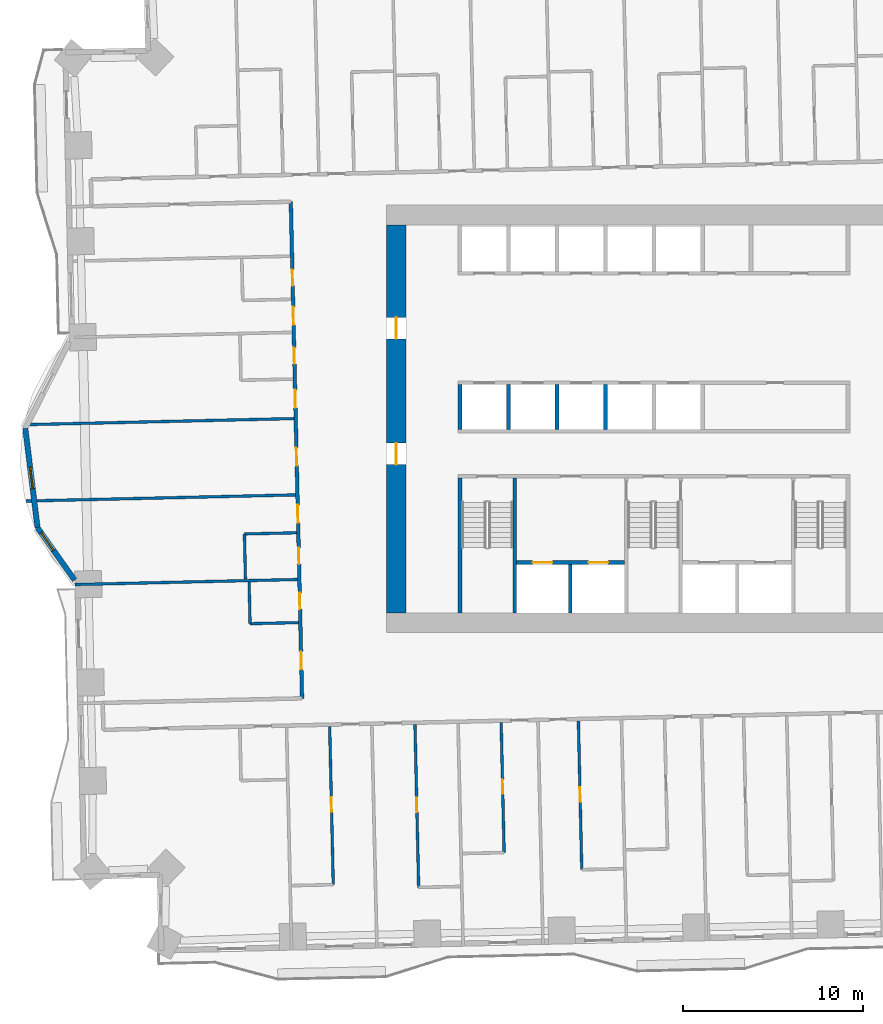
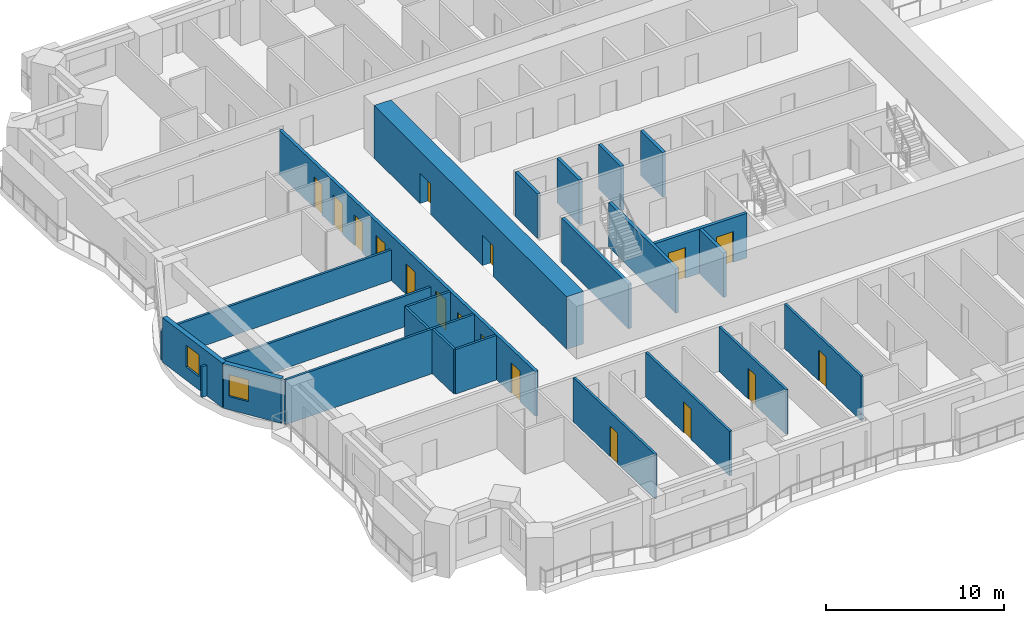
# One storey, part 5 of 16: 23 walls, 17 doors, 2 windows, 19 openings.
"""IFC4 building model written with IfcOpenShell, lengths in metres."""

from ifc_helpers import new_model, si_unit, direction, frame, frame_2d, origin, place, context, subcontext, project, spatial, rectangle, extrude, material, layer, layer_set, type_object, element, fill, save


model = new_model("IFC4")

# Units and contexts
model_context = context("Model", 3, precision=1e-05, world=origin(), true_north=direction((0.0, 1.0)))
body_context = subcontext(model_context, "Body", "Model", "MODEL_VIEW")
ifc_project = project(units=[si_unit("LENGTHUNIT", "METRE"), si_unit("AREAUNIT", "SQUARE_METRE"), si_unit("VOLUMEUNIT", "CUBIC_METRE"), si_unit("PLANEANGLEUNIT", "RADIAN"), si_unit("MASSUNIT", "GRAM", prefix="KILO")], contexts=[model_context])

# Site, building, storey
site_placement = place(None, origin())
site = spatial("IfcSite", under=ifc_project, at=site_placement, CompositionType="ELEMENT")
building_placement = place(site_placement, origin())
building = spatial("IfcBuilding", under=site, at=building_placement, Name="Mangrove Gate Tower", CompositionType="ELEMENT")
storey_placement = place(building_placement, frame((0.0, 0.0, 48.5)))
storey = spatial("IfcBuildingStorey", under=building, at=storey_placement, Name="L11", CompositionType="ELEMENT", Elevation=48.5)

# Wall, openings, doors
ifc_material_1 = material(Name="Concrete C70/85", Category="concrete")
ifc_layer_1 = layer(ifc_material_1, 0.199951171875)
ifc_layer_set_1 = layer_set([ifc_layer_1], Name="Core shaft wall 200 C70/85")
wall_type_1 = type_object("IfcWallType", Name="Core shaft wall 200 C70/85", PredefinedType="SHEAR", material=ifc_layer_set_1)
wall_1_placement = place(storey_placement, frame((-7.64990234375, -8.0, 0.0), z_axis=(0.0, 0.0, 1.0), x_axis=(1.0, 0.0, 0.0)))
wall_1 = element("IfcWall", 1, at=wall_1_placement, inside=storey, type_object=wall_type_1, Name="WALL-L11-CORE-15", PredefinedType="SHEAR", context=body_context, shape_type="SweptSolid", body=[
    extrude(rectangle(XDim=6.0, YDim=0.199951171875, at=frame_2d((3.0, 0.0))), origin(), (0.0, 0.0, 1.0), 3.050048828125),
])
opening_1_placement = place(wall_1_placement, frame((0.89990234375, 0.0, 0.0)))
opening_1 = element("IfcOpeningElement", 2, at=opening_1_placement, cuts=wall_1, Name="Opening LD", PredefinedType="OPENING", context=body_context, shape_type="SweptSolid", body=[
    extrude(rectangle(XDim=1.10009765625, YDim=2.10009765625, at=frame_2d((0.550048828125, 1.050048828125))), frame((0.0, 0.10986328125, 0.0), z_axis=(0.0, -1.0, 0.0), x_axis=(1.0, 0.0, 0.0)), (0.0, 0.0, 1.0), 0.219970703125),
])
opening_2_placement = place(wall_1_placement, frame((4.0, 0.0, 0.0)))
opening_2 = element("IfcOpeningElement", 3, at=opening_2_placement, cuts=wall_1, Name="Opening LD", PredefinedType="OPENING", context=body_context, shape_type="SweptSolid", body=[
    extrude(rectangle(XDim=1.10009765625, YDim=2.10009765625, at=frame_2d((0.550048828125, 1.050048828125))), frame((0.0, 0.10986328125, 0.0), z_axis=(0.0, -1.0, 0.0), x_axis=(1.0, 0.0, 0.0)), (0.0, 0.0, 1.0), 0.219970703125),
])
ifc_material_2 = material(Name="Stainless steel 316", Category="steel")
door_type_1 = type_object("IfcDoorType", Name="Lift landing door 1100x2100", OperationType="SLIDING_TO_LEFT", PredefinedType="DOOR", material=ifc_material_2)
door_1_placement = place(opening_1_placement, origin())
door_1 = element("IfcDoor", 4, at=door_1_placement, inside=storey, type_object=door_type_1, Name="Landing door LD SVL1", OperationType="SLIDING_TO_LEFT", OverallHeight=2.10009765625, OverallWidth=1.10009765625, PredefinedType="DOOR", context=body_context, shape_type="SweptSolid", body=[
    extrude(rectangle(XDim=1.10009765625, YDim=2.10009765625, at=frame_2d((0.550048828125, 1.050048828125))), frame((0.0, 0.02490234375, 0.0), z_axis=(0.0, -1.0, 0.0), x_axis=(1.0, 0.0, 0.0)), (0.0, 0.0, 1.0), 0.050048828125),
])
fill(opening_1, door_1)
door_2_placement = place(opening_2_placement, origin())
door_2 = element("IfcDoor", 5, at=door_2_placement, inside=storey, type_object=door_type_1, Name="Landing door LD SVL2", OperationType="SLIDING_TO_LEFT", OverallHeight=2.10009765625, OverallWidth=1.10009765625, PredefinedType="DOOR", context=body_context, shape_type="SweptSolid", body=[
    extrude(rectangle(XDim=1.10009765625, YDim=2.10009765625, at=frame_2d((0.550048828125, 1.050048828125))), frame((0.0, 0.02490234375, 0.0), z_axis=(0.0, -1.0, 0.0), x_axis=(1.0, 0.0, 0.0)), (0.0, 0.0, 1.0), 0.050048828125),
])
fill(opening_2, door_2)

# Walls
wall_2_placement = place(storey_placement, frame((-4.64990234375, -10.800048828125, 0.0), z_axis=(0.0, 0.0, 1.0), x_axis=(0.0, 1.0, 0.0)))
element("IfcWall", 6, at=wall_2_placement, inside=storey, type_object=wall_type_1, Name="WALL-L11-CORE-16", PredefinedType="SHEAR", context=body_context, shape_type="SweptSolid", body=[
    extrude(rectangle(XDim=2.699951171875, YDim=0.199951171875, at=frame_2d((1.35009765625, 0.0))), origin(), (0.0, 0.0, 1.0), 3.050048828125),
])
for number, where, z_axis, x_axis, name in (
    (7, (-10.800048828125, -0.60009765625, 0.0), (0.0, 0.0, 1.0), (0.0, 1.0, 0.0), "WALL-L11-CORE-19"),
    (8, (-8.10009765625, -0.60009765625, 0.0), (0.0, 0.0, 1.0), (0.0, 1.0, 0.0), "WALL-L11-CORE-20"),
    (9, (-5.39990234375, -0.60009765625, 0.0), (0.0, 0.0, 1.0), (0.0, 1.0, 0.0), "WALL-L11-CORE-21"),
    (10, (-2.699951171875, -0.60009765625, 0.0), (0.0, 0.0, 1.0), (0.0, 1.0, 0.0), "WALL-L11-CORE-22"),
):
    element("IfcWall", number, at=place(storey_placement, frame(where, z_axis=z_axis, x_axis=x_axis)), inside=storey, type_object=wall_type_1, Name=name, PredefinedType="SHEAR", context=body_context, shape_type="SweptSolid", body=[
        extrude(rectangle(XDim=2.5, YDim=0.199951171875, at=frame_2d((1.25, 0.0))), origin(), (0.0, 0.0, 1.0), 3.050048828125),
    ])
ifc_material_3 = material(Name="Concrete C70/85", Category="concrete")
ifc_layer_2 = layer(ifc_material_3, 0.199951171875)
ifc_layer_set_2 = layer_set([ifc_layer_2], Name="Core stair wall 200 C70/85")
wall_type_2 = type_object("IfcWallType", Name="Core stair wall 200 C70/85", PredefinedType="SHEAR", material=ifc_layer_set_2)
for number, where, z_axis, x_axis, name in (
    (11, (-10.800048828125, -10.800048828125, 0.0), (0.0, 0.0, 1.0), (0.0, 1.0, 0.0), "WALL-L11-CORE-9"),
    (12, (-7.75, -10.800048828125, 0.0), (0.0, 0.0, 1.0), (0.0, 1.0, 0.0), "WALL-L11-CORE-10"),
):
    element("IfcWall", number, at=place(storey_placement, frame(where, z_axis=z_axis, x_axis=x_axis)), inside=storey, type_object=wall_type_2, Name=name, PredefinedType="SHEAR", context=body_context, shape_type="SweptSolid", body=[
        extrude(rectangle(XDim=7.5, YDim=0.199951171875, at=frame_2d((3.75, 0.0))), origin(), (0.0, 0.0, 1.0), 3.050048828125),
    ])

# Wall, openings, doors
ifc_material_4 = material(Name="Concrete C70/85", Category="concrete")
ifc_layer_3 = layer(ifc_material_4, 1.10009765625)
ifc_layer_set_3 = layer_set([ifc_layer_3], Name="Core wall 1100 C70/85")
wall_type_3 = type_object("IfcWallType", Name="Core wall 1100 C70/85", PredefinedType="SHEAR", material=ifc_layer_set_3)
wall_3_placement = place(storey_placement, frame((-14.35009765625, -10.800048828125, 0.0), z_axis=(0.0, 0.0, 1.0), x_axis=(0.0, 1.0, 0.0)))
wall_3 = element("IfcWall", 13, at=wall_3_placement, inside=storey, type_object=wall_type_3, Name="WALL-L11-CORE-3", PredefinedType="SHEAR", context=body_context, shape_type="SweptSolid", body=[
    extrude(rectangle(XDim=21.60009765625, YDim=1.10009765625, at=frame_2d((10.800048828125, 0.0))), origin(), (0.0, 0.0, 1.0), 3.60009765625),
])
opening_3_placement = place(wall_3_placement, frame((8.25, 0.0, 0.0)))
opening_3 = element("IfcOpeningElement", 14, at=opening_3_placement, cuts=wall_3, Name="Opening CD", PredefinedType="OPENING", context=body_context, shape_type="SweptSolid", body=[
    extrude(rectangle(XDim=1.199951171875, YDim=2.10009765625, at=frame_2d((0.60009765625, 1.050048828125))), frame((0.0, 0.56005859375, 0.0), z_axis=(0.0, -1.0, 0.0), x_axis=(1.0, 0.0, 0.0)), (0.0, 0.0, 1.0), 1.1201171875),
])
opening_4_placement = place(wall_3_placement, frame((15.25, 0.0, 0.0)))
opening_4 = element("IfcOpeningElement", 15, at=opening_4_placement, cuts=wall_3, Name="Opening CD", PredefinedType="OPENING", context=body_context, shape_type="SweptSolid", body=[
    extrude(rectangle(XDim=1.199951171875, YDim=2.10009765625, at=frame_2d((0.60009765625, 1.050048828125))), frame((0.0, 0.56005859375, 0.0), z_axis=(0.0, -1.0, 0.0), x_axis=(1.0, 0.0, 0.0)), (0.0, 0.0, 1.0), 1.1201171875),
])
ifc_material_5 = material(Name="Fire-rated steel door set", Category="steel")
door_type_2 = type_object("IfcDoorType", Name="Core ring door FD60 1200x2100", OperationType="DOUBLE_DOOR_SINGLE_SWING", PredefinedType="DOOR", material=ifc_material_5)
door_3_placement = place(opening_3_placement, origin())
door_3 = element("IfcDoor", 16, at=door_3_placement, inside=storey, type_object=door_type_2, Name="Core ring door W1", OperationType="DOUBLE_DOOR_SINGLE_SWING", OverallHeight=2.10009765625, OverallWidth=1.199951171875, PredefinedType="DOOR", context=body_context, shape_type="SweptSolid", body=[
    extrude(rectangle(XDim=1.199951171875, YDim=2.10009765625, at=frame_2d((0.60009765625, 1.050048828125))), frame((0.0, 0.02490234375, 0.0), z_axis=(0.0, -1.0, 0.0), x_axis=(1.0, 0.0, 0.0)), (0.0, 0.0, 1.0), 0.050048828125),
])
fill(opening_3, door_3)
door_4_placement = place(opening_4_placement, origin())
door_4 = element("IfcDoor", 17, at=door_4_placement, inside=storey, type_object=door_type_2, Name="Core ring door W2", OperationType="DOUBLE_DOOR_SINGLE_SWING", OverallHeight=2.10009765625, OverallWidth=1.199951171875, PredefinedType="DOOR", context=body_context, shape_type="SweptSolid", body=[
    extrude(rectangle(XDim=1.199951171875, YDim=2.10009765625, at=frame_2d((0.60009765625, 1.050048828125))), frame((0.0, 0.02490234375, 0.0), z_axis=(0.0, -1.0, 0.0), x_axis=(1.0, 0.0, 0.0)), (0.0, 0.0, 1.0), 0.050048828125),
])
fill(opening_4, door_4)

ifc_material_6 = material(Name="Gypsum board on steel stud, EI 60", Category="steel")
ifc_layer_4 = layer(ifc_material_6, 0.199951171875)
ifc_layer_set_4 = layer_set([ifc_layer_4], Name="Corridor wall EI 60")
wall_type_4 = type_object("IfcWallType", Name="Corridor wall EI 60", PredefinedType="PARTITIONING", material=ifc_layer_set_4)
wall_4_placement = place(storey_placement, frame((-19.589111328125, -15.56201171875, 0.0), z_axis=(0.0, 0.0, 1.0), x_axis=(-0.02267447203, 0.999742901109, 0.0)))
wall_4 = element("IfcWall", 18, at=wall_4_placement, inside=storey, type_object=wall_type_4, Name="WALL-L11-036", PredefinedType="PARTITIONING", context=body_context, shape_type="SweptSolid", body=[
    extrude(rectangle(XDim=27.650146484375, YDim=0.199951171875, at=frame_2d((13.8251953125, 0.0))), origin(), (0.0, 0.0, 1.0), 3.050048828125),
])
opening_5_placement = place(wall_4_placement, frame((20.800048828125, 0.0, 0.0)))
opening_5 = element("IfcOpeningElement", 19, at=opening_5_placement, cuts=wall_4, Name="Opening AD", PredefinedType="OPENING", context=body_context, shape_type="SweptSolid", body=[
    extrude(rectangle(XDim=1.0, YDim=2.10009765625, at=frame_2d((0.5, 1.050048828125))), frame((0.0, 0.10986328125, 0.0), z_axis=(0.0, -1.0, 0.0), x_axis=(1.0, 0.0, 0.0)), (0.0, 0.0, 1.0), 0.219970703125),
])
opening_6_placement = place(wall_4_placement, frame((22.97509765625, 0.0, 0.0)))
opening_6 = element("IfcOpeningElement", 20, at=opening_6_placement, cuts=wall_4, Name="Opening SD", PredefinedType="OPENING", context=body_context, shape_type="SweptSolid", body=[
    extrude(rectangle(XDim=0.89990234375, YDim=2.10009765625, at=frame_2d((0.449951171875, 1.050048828125))), frame((0.0, 0.10986328125, 0.0), z_axis=(0.0, -1.0, 0.0), x_axis=(1.0, 0.0, 0.0)), (0.0, 0.0, 1.0), 0.219970703125),
])
opening_7_placement = place(wall_4_placement, frame((16.175048828125, 0.0, 0.0)))
opening_7 = element("IfcOpeningElement", 21, at=opening_7_placement, cuts=wall_4, Name="Opening AD", PredefinedType="OPENING", context=body_context, shape_type="SweptSolid", body=[
    extrude(rectangle(XDim=1.0, YDim=2.10009765625, at=frame_2d((0.5, 1.050048828125))), frame((0.0, 0.10986328125, 0.0), z_axis=(0.0, -1.0, 0.0), x_axis=(1.0, 0.0, 0.0)), (0.0, 0.0, 1.0), 0.219970703125),
])
opening_8_placement = place(wall_4_placement, frame((18.625, 0.0, 0.0)))
opening_8 = element("IfcOpeningElement", 22, at=opening_8_placement, cuts=wall_4, Name="Opening SD", PredefinedType="OPENING", context=body_context, shape_type="SweptSolid", body=[
    extrude(rectangle(XDim=0.89990234375, YDim=2.10009765625, at=frame_2d((0.449951171875, 1.050048828125))), frame((0.0, 0.10986328125, 0.0), z_axis=(0.0, -1.0, 0.0), x_axis=(1.0, 0.0, 0.0)), (0.0, 0.0, 1.0), 0.219970703125),
])
opening_9_placement = place(wall_4_placement, frame((12.949951171875, 0.0, 0.0)))
opening_9 = element("IfcOpeningElement", 23, at=opening_9_placement, cuts=wall_4, Name="Opening AD", PredefinedType="OPENING", context=body_context, shape_type="SweptSolid", body=[
    extrude(rectangle(XDim=1.0, YDim=2.10009765625, at=frame_2d((0.5, 1.050048828125))), frame((0.0, 0.10986328125, 0.0), z_axis=(0.0, -1.0, 0.0), x_axis=(1.0, 0.0, 0.0)), (0.0, 0.0, 1.0), 0.219970703125),
])
opening_10_placement = place(wall_4_placement, frame((9.77490234375, 0.0, 0.0)))
opening_10 = element("IfcOpeningElement", 24, at=opening_10_placement, cuts=wall_4, Name="Opening AD", PredefinedType="OPENING", context=body_context, shape_type="SweptSolid", body=[
    extrude(rectangle(XDim=1.0, YDim=2.10009765625, at=frame_2d((0.5, 1.050048828125))), frame((0.0, 0.10986328125, 0.0), z_axis=(0.0, -1.0, 0.0), x_axis=(1.0, 0.0, 0.0)), (0.0, 0.0, 1.0), 0.219970703125),
])
opening_11_placement = place(wall_4_placement, frame((7.47509765625, 0.0, 0.0)))
opening_11 = element("IfcOpeningElement", 25, at=opening_11_placement, cuts=wall_4, Name="Opening SD", PredefinedType="OPENING", context=body_context, shape_type="SweptSolid", body=[
    extrude(rectangle(XDim=0.89990234375, YDim=2.10009765625, at=frame_2d((0.449951171875, 1.050048828125))), frame((0.0, 0.10986328125, 0.0), z_axis=(0.0, -1.0, 0.0), x_axis=(1.0, 0.0, 0.0)), (0.0, 0.0, 1.0), 0.219970703125),
])
opening_12_placement = place(wall_4_placement, frame((1.612060546875, 0.0, 0.0)))
opening_12 = element("IfcOpeningElement", 26, at=opening_12_placement, cuts=wall_4, Name="Opening AD", PredefinedType="OPENING", context=body_context, shape_type="SweptSolid", body=[
    extrude(rectangle(XDim=1.0, YDim=2.10009765625, at=frame_2d((0.5, 1.050048828125))), frame((0.0, 0.10986328125, 0.0), z_axis=(0.0, -1.0, 0.0), x_axis=(1.0, 0.0, 0.0)), (0.0, 0.0, 1.0), 0.219970703125),
])
opening_13_placement = place(wall_4_placement, frame((4.97509765625, 0.0, 0.0)))
opening_13 = element("IfcOpeningElement", 27, at=opening_13_placement, cuts=wall_4, Name="Opening SD", PredefinedType="OPENING", context=body_context, shape_type="SweptSolid", body=[
    extrude(rectangle(XDim=0.89990234375, YDim=2.10009765625, at=frame_2d((0.449951171875, 1.050048828125))), frame((0.0, 0.10986328125, 0.0), z_axis=(0.0, -1.0, 0.0), x_axis=(1.0, 0.0, 0.0)), (0.0, 0.0, 1.0), 0.219970703125),
])
ifc_material_7 = material(Name="Timber door leaf", Category="wood")
door_type_3 = type_object("IfcDoorType", Name="Amenity door 1000", OperationType="SINGLE_SWING_LEFT", PredefinedType="DOOR", material=ifc_material_7)
door_5_placement = place(opening_5_placement, origin())
door_5 = element("IfcDoor", 28, at=door_5_placement, inside=storey, type_object=door_type_3, Name="DOOR-L11-GAM-c5a", OperationType="SINGLE_SWING_LEFT", OverallHeight=2.10009765625, OverallWidth=1.0, PredefinedType="DOOR", context=body_context, shape_type="SweptSolid", body=[
    extrude(rectangle(XDim=1.0, YDim=2.10009765625, at=frame_2d((0.5, 1.050048828125))), frame((0.0, 0.02490234375, 0.0), z_axis=(0.0, -1.0, 0.0), x_axis=(1.0, 0.0, 0.0)), (0.0, 0.0, 1.0), 0.050048828125),
])
fill(opening_5, door_5)
door_6_placement = place(opening_7_placement, origin())
door_6 = element("IfcDoor", 29, at=door_6_placement, inside=storey, type_object=door_type_3, Name="DOOR-L11-LNG-c5b", OperationType="SINGLE_SWING_RIGHT", OverallHeight=2.10009765625, OverallWidth=1.0, PredefinedType="DOOR", context=body_context, shape_type="SweptSolid", body=[
    extrude(rectangle(XDim=1.0, YDim=2.10009765625, at=frame_2d((0.5, 1.050048828125))), frame((0.0, 0.02490234375, 0.0), z_axis=(0.0, -1.0, 0.0), x_axis=(1.0, 0.0, 0.0)), (0.0, 0.0, 1.0), 0.050048828125),
])
fill(opening_7, door_6)
door_7_placement = place(opening_9_placement, origin())
door_7 = element("IfcDoor", 30, at=door_7_placement, inside=storey, type_object=door_type_3, Name="DOOR-L11-LNG-c5c", OperationType="SINGLE_SWING_LEFT", OverallHeight=2.10009765625, OverallWidth=1.0, PredefinedType="DOOR", context=body_context, shape_type="SweptSolid", body=[
    extrude(rectangle(XDim=1.0, YDim=2.10009765625, at=frame_2d((0.5, 1.050048828125))), frame((0.0, 0.02490234375, 0.0), z_axis=(0.0, -1.0, 0.0), x_axis=(1.0, 0.0, 0.0)), (0.0, 0.0, 1.0), 0.050048828125),
])
fill(opening_9, door_7)
door_8_placement = place(opening_10_placement, origin())
door_8 = element("IfcDoor", 31, at=door_8_placement, inside=storey, type_object=door_type_3, Name="DOOR-L11-KIT-c5a", OperationType="SINGLE_SWING_RIGHT", OverallHeight=2.10009765625, OverallWidth=1.0, PredefinedType="DOOR", context=body_context, shape_type="SweptSolid", body=[
    extrude(rectangle(XDim=1.0, YDim=2.10009765625, at=frame_2d((0.5, 1.050048828125))), frame((0.0, 0.02490234375, 0.0), z_axis=(0.0, -1.0, 0.0), x_axis=(1.0, 0.0, 0.0)), (0.0, 0.0, 1.0), 0.050048828125),
])
fill(opening_10, door_8)
door_9_placement = place(opening_12_placement, origin())
door_9 = element("IfcDoor", 32, at=door_9_placement, inside=storey, type_object=door_type_3, Name="DOOR-L11-GAM-c5b", OperationType="SINGLE_SWING_LEFT", OverallHeight=2.10009765625, OverallWidth=1.0, PredefinedType="DOOR", context=body_context, shape_type="SweptSolid", body=[
    extrude(rectangle(XDim=1.0, YDim=2.10009765625, at=frame_2d((0.5, 1.050048828125))), frame((0.0, 0.02490234375, 0.0), z_axis=(0.0, -1.0, 0.0), x_axis=(1.0, 0.0, 0.0)), (0.0, 0.0, 1.0), 0.050048828125),
])
fill(opening_12, door_9)
ifc_material_8 = material(Name="Timber door leaf", Category="wood")
door_type_4 = type_object("IfcDoorType", Name="Service room door 900", OperationType="SINGLE_SWING_LEFT", PredefinedType="DOOR", material=ifc_material_8)
door_10_placement = place(opening_6_placement, origin())
door_10 = element("IfcDoor", 33, at=door_10_placement, inside=storey, type_object=door_type_4, Name="DOOR-L11-WC-c5b", OperationType="SINGLE_SWING_RIGHT", OverallHeight=2.10009765625, OverallWidth=0.89990234375, PredefinedType="DOOR", context=body_context, shape_type="SweptSolid", body=[
    extrude(rectangle(XDim=0.89990234375, YDim=2.10009765625, at=frame_2d((0.449951171875, 1.050048828125))), frame((0.0, 0.02490234375, 0.0), z_axis=(0.0, -1.0, 0.0), x_axis=(1.0, 0.0, 0.0)), (0.0, 0.0, 1.0), 0.050048828125),
])
fill(opening_6, door_10)
door_11_placement = place(opening_8_placement, origin())
door_11 = element("IfcDoor", 34, at=door_11_placement, inside=storey, type_object=door_type_4, Name="DOOR-L11-AWC-c5a", OperationType="SINGLE_SWING_LEFT", OverallHeight=2.10009765625, OverallWidth=0.89990234375, PredefinedType="DOOR", context=body_context, shape_type="SweptSolid", body=[
    extrude(rectangle(XDim=0.89990234375, YDim=2.10009765625, at=frame_2d((0.449951171875, 1.050048828125))), frame((0.0, 0.02490234375, 0.0), z_axis=(0.0, -1.0, 0.0), x_axis=(1.0, 0.0, 0.0)), (0.0, 0.0, 1.0), 0.050048828125),
])
fill(opening_8, door_11)
door_12_placement = place(opening_11_placement, origin())
door_12 = element("IfcDoor", 35, at=door_12_placement, inside=storey, type_object=door_type_4, Name="DOOR-L11-AWC-c5b", OperationType="SINGLE_SWING_RIGHT", OverallHeight=2.10009765625, OverallWidth=0.89990234375, PredefinedType="DOOR", context=body_context, shape_type="SweptSolid", body=[
    extrude(rectangle(XDim=0.89990234375, YDim=2.10009765625, at=frame_2d((0.449951171875, 1.050048828125))), frame((0.0, 0.02490234375, 0.0), z_axis=(0.0, -1.0, 0.0), x_axis=(1.0, 0.0, 0.0)), (0.0, 0.0, 1.0), 0.050048828125),
])
fill(opening_11, door_12)
door_13_placement = place(opening_13_placement, origin())
door_13 = element("IfcDoor", 36, at=door_13_placement, inside=storey, type_object=door_type_4, Name="DOOR-L11-WC-c5c", OperationType="SINGLE_SWING_LEFT", OverallHeight=2.10009765625, OverallWidth=0.89990234375, PredefinedType="DOOR", context=body_context, shape_type="SweptSolid", body=[
    extrude(rectangle(XDim=0.89990234375, YDim=2.10009765625, at=frame_2d((0.449951171875, 1.050048828125))), frame((0.0, 0.02490234375, 0.0), z_axis=(0.0, -1.0, 0.0), x_axis=(1.0, 0.0, 0.0)), (0.0, 0.0, 1.0), 0.050048828125),
])
fill(opening_13, door_13)

# Wall, opening, window
ifc_material_9 = material(Name="Limestone", Category="masonry")
ifc_layer_5 = layer(ifc_material_9, 0.0400390625, Name="Limestone cladding")
ifc_material_10 = material(Name="Ventilated air gap")
ifc_layer_6 = layer(ifc_material_10, 0.0400390625, Name="Ventilated cavity")
ifc_material_11 = material(Name="Mineral wool insulation")
ifc_layer_7 = layer(ifc_material_11, 0.06005859375, Name="Insulation")
ifc_material_12 = material(Name="Breather membrane")
ifc_layer_8 = layer(ifc_material_12, 0.001953125, Name="Breather membrane")
ifc_material_13 = material(Name="Concrete C20/25 blockwork", Category="masonry")
ifc_layer_9 = layer(ifc_material_13, 0.14990234375, Name="Blockwork backing wall")
ifc_material_14 = material(Name="Gypsum plaster")
ifc_layer_10 = layer(ifc_material_14, 0.008056640625, Name="Internal plaster")
ifc_layer_set_5 = layer_set([ifc_layer_5, ifc_layer_6, ifc_layer_7, ifc_layer_8, ifc_layer_9, ifc_layer_10], Name="External wall 300 limestone cladding")
wall_type_5 = type_object("IfcWallType", Name="External wall 300 limestone cladding", PredefinedType="SOLIDWALL", material=ifc_layer_set_5)
wall_5_placement = place(storey_placement, frame((-34.99609375, -0.533935546875, 0.0), z_axis=(0.0, 0.0, 1.0), x_axis=(0.122206978992, -0.992504636909, 0.0)))
wall_5 = element("IfcWall", 37, at=wall_5_placement, inside=storey, type_object=wall_type_5, Name="WALL-L11-W9f2", PredefinedType="SOLIDWALL", context=body_context, shape_type="SweptSolid", body=[
    extrude(rectangle(XDim=5.57373046875, YDim=0.300048828125, at=frame_2d((2.786865234375, 0.0))), origin(), (0.0, 0.0, 1.0), 3.050048828125),
])
opening_14_placement = place(wall_5_placement, frame((2.18701171875, 0.0, 0.89990234375)))
opening_14 = element("IfcOpeningElement", 38, at=opening_14_placement, cuts=wall_5, Name="Opening W1", PredefinedType="OPENING", context=body_context, shape_type="SweptSolid", body=[
    extrude(rectangle(XDim=1.199951171875, YDim=1.5, at=frame_2d((0.60009765625, 0.75))), frame((0.0, 0.159912109375, 0.0), z_axis=(0.0, -1.0, 0.0), x_axis=(1.0, 0.0, 0.0)), (0.0, 0.0, 1.0), 0.320068359375),
])
ifc_material_15 = material(Name="Aluminium frame with double-glazed low-e glass", Category="aluminium")
window_type = type_object("IfcWindowType", Name="Side lite 1200x1500", PartitioningType="SINGLE_PANEL", PredefinedType="WINDOW", material=ifc_material_15)
window_1_placement = place(opening_14_placement, origin())
window_1 = element("IfcWindow", 39, at=window_1_placement, inside=storey, type_object=window_type, Name="WIN-L11-W9f2", OverallHeight=1.5, OverallWidth=1.199951171875, PartitioningType="SINGLE_PANEL", PredefinedType="WINDOW", context=body_context, shape_type="SweptSolid", body=[
    extrude(rectangle(XDim=1.199951171875, YDim=1.5, at=frame_2d((0.60009765625, 0.75))), frame((0.0, 0.030029296875, 0.0), z_axis=(0.0, -1.0, 0.0), x_axis=(1.0, 0.0, 0.0)), (0.0, 0.0, 1.0), 0.06005859375),
])
fill(opening_14, window_1)

wall_6_placement = place(storey_placement, frame((-34.31494140625, -6.06591796875, 0.0), z_axis=(0.0, 0.0, 1.0), x_axis=(0.578062893695, -0.815992212544, 0.0)))
wall_6 = element("IfcWall", 40, at=wall_6_placement, inside=storey, type_object=wall_type_5, Name="WALL-L11-W9f3", PredefinedType="SOLIDWALL", context=body_context, shape_type="SweptSolid", body=[
    extrude(rectangle(XDim=3.56884765625, YDim=0.300048828125, at=frame_2d((1.784423828125, 0.0))), origin(), (0.0, 0.0, 1.0), 3.050048828125),
])
opening_15_placement = place(wall_6_placement, frame((0.337890625, 0.0, 0.89990234375)))
opening_15 = element("IfcOpeningElement", 41, at=opening_15_placement, cuts=wall_6, Name="Opening W1", PredefinedType="OPENING", context=body_context, shape_type="SweptSolid", body=[
    extrude(rectangle(XDim=1.199951171875, YDim=1.5, at=frame_2d((0.60009765625, 0.75))), frame((0.0, 0.159912109375, 0.0), z_axis=(0.0, -1.0, 0.0), x_axis=(1.0, 0.0, 0.0)), (0.0, 0.0, 1.0), 0.320068359375),
])
window_2_placement = place(opening_15_placement, origin())
window_2 = element("IfcWindow", 42, at=window_2_placement, inside=storey, type_object=window_type, Name="WIN-L11-W9f3", OverallHeight=1.5, OverallWidth=1.199951171875, PartitioningType="SINGLE_PANEL", PredefinedType="WINDOW", context=body_context, shape_type="SweptSolid", body=[
    extrude(rectangle(XDim=1.199951171875, YDim=1.5, at=frame_2d((0.60009765625, 0.75))), frame((0.0, 0.030029296875, 0.0), z_axis=(0.0, -1.0, 0.0), x_axis=(1.0, 0.0, 0.0)), (0.0, 0.0, 1.0), 0.06005859375),
])
fill(opening_15, window_2)

# Wall, opening, door
ifc_material_16 = material(Name="Gypsum board on steel stud, EI 60", Category="steel")
ifc_layer_11 = layer(ifc_material_16, 0.14990234375)
ifc_layer_set_6 = layer_set([ifc_layer_11], Name="Party wall 150 EI 60")
wall_type_6 = type_object("IfcWallType", Name="Party wall 150 EI 60", PredefinedType="PARTITIONING", material=ifc_layer_set_6)
wall_7_placement = place(storey_placement, frame((-13.09912109375, -26.0869140625, 0.0), z_axis=(0.0, 0.0, 1.0), x_axis=(-0.022583221876, 0.999744966524, 0.0)))
wall_7 = element("IfcWall", 43, at=wall_7_placement, inside=storey, type_object=wall_type_6, Name="WALL-L11-014", PredefinedType="PARTITIONING", context=body_context, shape_type="SweptSolid", body=[
    extrude(rectangle(XDim=9.070068359375, YDim=0.14990234375, at=frame_2d((4.53515625, 0.0))), origin(), (0.0, 0.0, 1.0), 3.050048828125),
])
opening_16_placement = place(wall_7_placement, frame((4.18505859375, 0.0, 0.0)))
opening_16 = element("IfcOpeningElement", 44, at=opening_16_placement, cuts=wall_7, Name="Opening ED", PredefinedType="OPENING", context=body_context, shape_type="SweptSolid", body=[
    extrude(rectangle(XDim=0.800048828125, YDim=2.10009765625, at=frame_2d((0.39990234375, 1.050048828125))), frame((0.0, 0.0849609375, 0.0), z_axis=(0.0, -1.0, 0.0), x_axis=(1.0, 0.0, 0.0)), (0.0, 0.0, 1.0), 0.169921875),
])
ifc_material_17 = material(Name="Timber door leaf", Category="wood")
door_type_5 = type_object("IfcDoorType", Name="En-suite door 800", OperationType="SINGLE_SWING_LEFT", PredefinedType="DOOR", material=ifc_material_17)
door_14_placement = place(opening_16_placement, origin())
door_14 = element("IfcDoor", 45, at=door_14_placement, inside=storey, type_object=door_type_5, Name="DOOR-L11-ENS-c102", OperationType="SINGLE_SWING_RIGHT", OverallHeight=2.10009765625, OverallWidth=0.800048828125, PredefinedType="DOOR", context=body_context, shape_type="SweptSolid", body=[
    extrude(rectangle(XDim=0.800048828125, YDim=2.10009765625, at=frame_2d((0.39990234375, 1.050048828125))), frame((0.0, 0.02490234375, 0.0), z_axis=(0.0, -1.0, 0.0), x_axis=(1.0, 0.0, 0.0)), (0.0, 0.0, 1.0), 0.050048828125),
])
fill(opening_16, door_14)

wall_8_placement = place(storey_placement, frame((-17.85302734375, -25.93505859375, 0.0), z_axis=(0.0, 0.0, 1.0), x_axis=(-0.022694967989, 0.999742436044, 0.0)))
wall_8 = element("IfcWall", 46, at=wall_8_placement, inside=storey, type_object=wall_type_6, Name="WALL-L11-016", PredefinedType="PARTITIONING", context=body_context, shape_type="SweptSolid", body=[
    extrude(rectangle(XDim=8.810302734375, YDim=0.14990234375, at=frame_2d((4.4052734375, 0.0))), origin(), (0.0, 0.0, 1.0), 3.050048828125),
])
opening_17_placement = place(wall_8_placement, frame((4.054931640625, 0.0, 0.0)))
opening_17 = element("IfcOpeningElement", 47, at=opening_17_placement, cuts=wall_8, Name="Opening ED", PredefinedType="OPENING", context=body_context, shape_type="SweptSolid", body=[
    extrude(rectangle(XDim=0.800048828125, YDim=2.10009765625, at=frame_2d((0.39990234375, 1.050048828125))), frame((0.0, 0.0849609375, 0.0), z_axis=(0.0, -1.0, 0.0), x_axis=(1.0, 0.0, 0.0)), (0.0, 0.0, 1.0), 0.169921875),
])
door_15_placement = place(opening_17_placement, origin())
door_15 = element("IfcDoor", 48, at=door_15_placement, inside=storey, type_object=door_type_5, Name="DOOR-L11-ENS-c101", OperationType="SINGLE_SWING_LEFT", OverallHeight=2.10009765625, OverallWidth=0.800048828125, PredefinedType="DOOR", context=body_context, shape_type="SweptSolid", body=[
    extrude(rectangle(XDim=0.800048828125, YDim=2.10009765625, at=frame_2d((0.39990234375, 1.050048828125))), frame((0.0, 0.02490234375, 0.0), z_axis=(0.0, -1.0, 0.0), x_axis=(1.0, 0.0, 0.0)), (0.0, 0.0, 1.0), 0.050048828125),
])
fill(opening_17, door_15)

wall_9_placement = place(storey_placement, frame((-4.01904296875, -25.10107421875, 0.0), z_axis=(0.0, 0.0, 1.0), x_axis=(-0.022675916361, 0.99974286835, 0.0)))
wall_9 = element("IfcWall", 49, at=wall_9_placement, inside=storey, type_object=wall_type_6, Name="WALL-L11-020", PredefinedType="PARTITIONING", context=body_context, shape_type="SweptSolid", body=[
    extrude(rectangle(XDim=8.290283203125, YDim=0.14990234375, at=frame_2d((4.14501953125, 0.0))), origin(), (0.0, 0.0, 1.0), 3.050048828125),
])
opening_18_placement = place(wall_9_placement, frame((3.794921875, 0.0, 0.0)))
opening_18 = element("IfcOpeningElement", 50, at=opening_18_placement, cuts=wall_9, Name="Opening ED", PredefinedType="OPENING", context=body_context, shape_type="SweptSolid", body=[
    extrude(rectangle(XDim=0.800048828125, YDim=2.10009765625, at=frame_2d((0.39990234375, 1.050048828125))), frame((0.0, 0.0849609375, 0.0), z_axis=(0.0, -1.0, 0.0), x_axis=(1.0, 0.0, 0.0)), (0.0, 0.0, 1.0), 0.169921875),
])
door_16_placement = place(opening_18_placement, origin())
door_16 = element("IfcDoor", 51, at=door_16_placement, inside=storey, type_object=door_type_5, Name="DOOR-L11-ENS-c104", OperationType="SINGLE_SWING_RIGHT", OverallHeight=2.10009765625, OverallWidth=0.800048828125, PredefinedType="DOOR", context=body_context, shape_type="SweptSolid", body=[
    extrude(rectangle(XDim=0.800048828125, YDim=2.10009765625, at=frame_2d((0.39990234375, 1.050048828125))), frame((0.0, 0.02490234375, 0.0), z_axis=(0.0, -1.0, 0.0), x_axis=(1.0, 0.0, 0.0)), (0.0, 0.0, 1.0), 0.050048828125),
])
fill(opening_18, door_16)

wall_10_placement = place(storey_placement, frame((-8.341064453125, -24.14892578125, 0.0), z_axis=(0.0, 0.0, 1.0), x_axis=(-0.022795707404, 0.999740144099, 0.0)))
wall_10 = element("IfcWall", 52, at=wall_10_placement, inside=storey, type_object=wall_type_6, Name="WALL-L11-026", PredefinedType="PARTITIONING", context=body_context, shape_type="SweptSolid", body=[
    extrude(rectangle(XDim=7.239990234375, YDim=0.14990234375, at=frame_2d((3.6201171875, 0.0))), origin(), (0.0, 0.0, 1.0), 3.050048828125),
])
opening_19_placement = place(wall_10_placement, frame((3.27001953125, 0.0, 0.0)))
opening_19 = element("IfcOpeningElement", 53, at=opening_19_placement, cuts=wall_10, Name="Opening ED", PredefinedType="OPENING", context=body_context, shape_type="SweptSolid", body=[
    extrude(rectangle(XDim=0.800048828125, YDim=2.10009765625, at=frame_2d((0.39990234375, 1.050048828125))), frame((0.0, 0.0849609375, 0.0), z_axis=(0.0, -1.0, 0.0), x_axis=(1.0, 0.0, 0.0)), (0.0, 0.0, 1.0), 0.169921875),
])
door_17_placement = place(opening_19_placement, origin())
door_17 = element("IfcDoor", 54, at=door_17_placement, inside=storey, type_object=door_type_5, Name="DOOR-L11-ENS-c103", OperationType="SINGLE_SWING_LEFT", OverallHeight=2.10009765625, OverallWidth=0.800048828125, PredefinedType="DOOR", context=body_context, shape_type="SweptSolid", body=[
    extrude(rectangle(XDim=0.800048828125, YDim=2.10009765625, at=frame_2d((0.39990234375, 1.050048828125))), frame((0.0, 0.02490234375, 0.0), z_axis=(0.0, -1.0, 0.0), x_axis=(1.0, 0.0, 0.0)), (0.0, 0.0, 1.0), 0.050048828125),
])
fill(opening_19, door_17)

# Walls
wall_11_placement = place(storey_placement, frame((-22.48388671875, -11.406005859375, 0.0), z_axis=(0.0, 0.0, 1.0), x_axis=(0.999744396973, 0.02260842146, 0.0)))
element("IfcWall", 55, at=wall_11_placement, inside=storey, type_object=wall_type_6, Name="WALL-L11-041", PredefinedType="PARTITIONING", context=body_context, shape_type="SweptSolid", body=[
    extrude(rectangle(XDim=2.69970703125, YDim=0.14990234375, at=frame_2d((1.349853515625, 0.0))), origin(), (0.0, 0.0, 1.0), 3.050048828125),
])
wall_12_placement = place(storey_placement, frame((-22.48388671875, -11.40087890625, 0.0), z_axis=(0.0, 0.0, 1.0), x_axis=(-0.022895561926, 0.999737862264, 0.0)))
element("IfcWall", 56, at=wall_12_placement, inside=storey, type_object=wall_type_6, Name="WALL-L11-042", PredefinedType="PARTITIONING", context=body_context, shape_type="SweptSolid", body=[
    extrude(rectangle(XDim=2.324462890625, YDim=0.14990234375, at=frame_2d((1.162109375, 0.0))), origin(), (0.0, 0.0, 1.0), 3.050048828125),
])
wall_13_placement = place(storey_placement, frame((-32.236083984375, -9.22705078125, 0.0), z_axis=(0.0, 0.0, 1.0), x_axis=(0.999743195783, 0.022661475803, 0.0)))
element("IfcWall", 57, at=wall_13_placement, inside=storey, type_object=wall_type_6, Name="WALL-L11-043", PredefinedType="PARTITIONING", context=body_context, shape_type="SweptSolid", body=[
    extrude(rectangle(XDim=12.400146484375, YDim=0.14990234375, at=frame_2d((6.2001953125, 0.0))), origin(), (0.0, 0.0, 1.0), 3.050048828125),
])
wall_14_placement = place(storey_placement, frame((-22.739990234375, -8.930908203125, 0.0), z_axis=(0.0, 0.0, 1.0), x_axis=(-0.023015762656, 0.999735102249, 0.0)))
element("IfcWall", 58, at=wall_14_placement, inside=storey, type_object=wall_type_6, Name="WALL-L11-044", PredefinedType="PARTITIONING", context=body_context, shape_type="SweptSolid", body=[
    extrude(rectangle(XDim=2.524658203125, YDim=0.14990234375, at=frame_2d((1.26220703125, 0.0))), origin(), (0.0, 0.0, 1.0), 3.050048828125),
])
wall_15_placement = place(storey_placement, frame((-22.797119140625, -6.412109375, 0.0), z_axis=(0.0, 0.0, 1.0), x_axis=(0.999739701447, 0.022815112345, 0.0)))
element("IfcWall", 59, at=wall_15_placement, inside=storey, type_object=wall_type_6, Name="WALL-L11-045", PredefinedType="PARTITIONING", context=body_context, shape_type="SweptSolid", body=[
    extrude(rectangle(XDim=2.89990234375, YDim=0.14990234375, at=frame_2d((1.449951171875, 0.0))), origin(), (0.0, 0.0, 1.0), 3.050048828125),
])
wall_16_placement = place(storey_placement, frame((-34.967041015625, -4.577880859375, 0.0), z_axis=(0.0, 0.0, 1.0), x_axis=(0.999742690494, 0.022683756395, 0.0)))
element("IfcWall", 60, at=wall_16_placement, inside=storey, type_object=wall_type_6, Name="WALL-L11-046", PredefinedType="PARTITIONING", context=body_context, shape_type="SweptSolid", body=[
    extrude(rectangle(XDim=15.02490234375, YDim=0.14990234375, at=frame_2d((7.512451171875, 0.0))), origin(), (0.0, 0.0, 1.0), 2.10009765625),
])
wall_17_placement = place(storey_placement, frame((-35.094970703125, -0.330078125, 0.0), z_axis=(0.0, 0.0, 1.0), x_axis=(0.999741944356, 0.022716617157, 0.0)))
element("IfcWall", 61, at=wall_17_placement, inside=storey, type_object=wall_type_6, Name="WALL-L11-047", PredefinedType="PARTITIONING", context=body_context, shape_type="SweptSolid", body=[
    extrude(rectangle(XDim=15.056884765625, YDim=0.14990234375, at=frame_2d((7.5283203125, 0.0))), origin(), (0.0, 0.0, 1.0), 2.10009765625),
])

save(model, "model.ifc")
